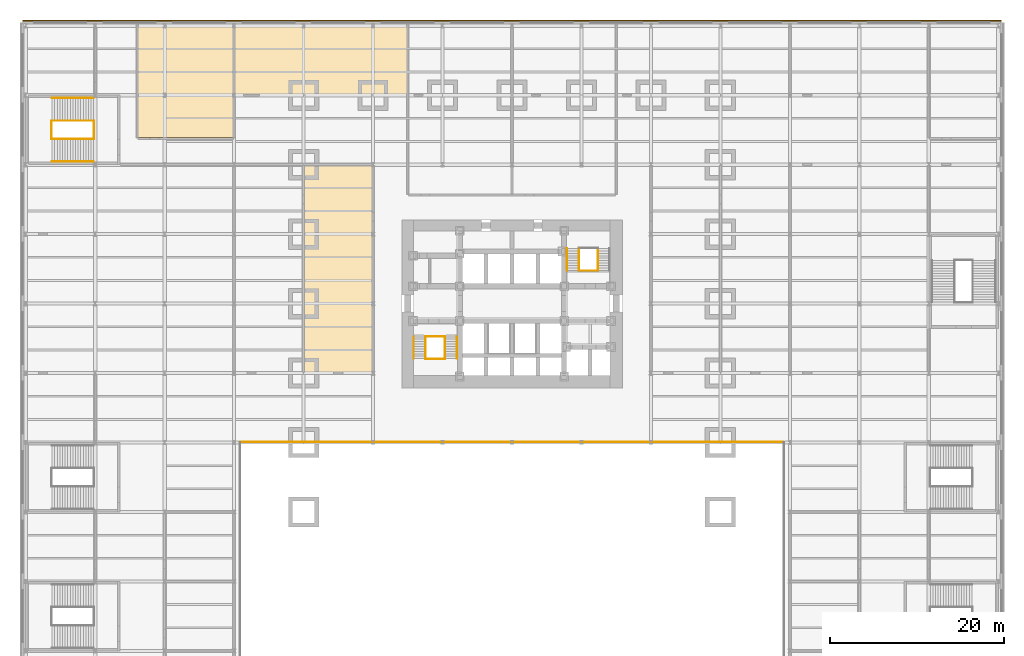
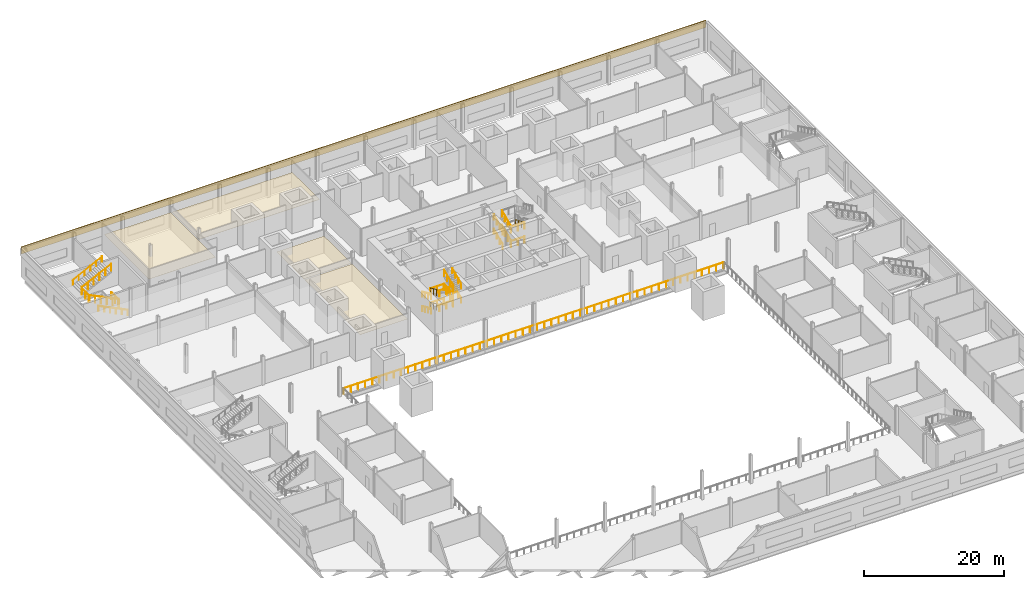
# One storey, part 17 of 18: 27 railings, 5 coverings.
"""IFC4 building model written with IfcOpenShell, lengths in metres."""

import ifcopenshell
import ifcopenshell.guid

model = None  # the IFC model being written
_history = None  # IfcOwnerHistory: only IFC2X3 demands one
_inside = {}  # id of a spatial element -> (the spatial element, [elements in it])
_under = {}  # id of a project, library or spatial element -> (it, [spatial elements below it])
_declared = {}  # id of a project -> (the project, [libraries it declares])
_typed = {}  # id of a type object -> (the type object, [elements of that type])
_made_of = {}  # id of a material, layer set ... -> (it, [elements and type objects made of it])


def new_model(schema):
    """Start an empty IFC model of exactly this schema.

    Asked for "IFC4X3", IfcOpenShell would pick the latest addendum, in which some entities
    have other attributes; the version numbers below select the first issue.
    IFC2X3 requires an IfcOwnerHistory on every rooted entity: one is made here for all.
    """
    global model, _history
    if schema == "IFC4X3":
        model = ifcopenshell.file(schema_version=(4, 3, 0, 0))
    else:
        model = ifcopenshell.file(schema=schema)
    _inside.clear()
    _under.clear()
    _declared.clear()
    _typed.clear()
    _made_of.clear()
    _history = None
    if model.schema == "IFC2X3":
        org = make("IfcOrganization", Name="unknown")
        user = make(
            "IfcPersonAndOrganization",
            ThePerson=make("IfcPerson", FamilyName="unknown"),
            TheOrganization=org,
        )
        app = make(
            "IfcApplication",
            ApplicationDeveloper=org,
            Version="unknown",
            ApplicationFullName="unknown",
            ApplicationIdentifier="unknown",
        )
        _history = make(
            "IfcOwnerHistory",
            OwningUser=user,
            OwningApplication=app,
            ChangeAction="ADDED",
            CreationDate=0,
        )
    return model


def make(cls, **values):
    """One entity of the class cls with the attributes given. An attribute that is None is left unset."""
    return model.create_entity(
        cls, **{name: value for name, value in values.items() if value is not None}
    )


def rooted(cls, **values):
    """An entity with a GlobalId (a new one), such as an element, a storey or a relation."""
    return make(cls, GlobalId=ifcopenshell.guid.new(), OwnerHistory=_history, **values)


def si_unit(unit_type, name, prefix=None):
    """IfcSIUnit, for example si_unit("LENGTHUNIT", "METRE", prefix="MILLI")."""
    return make("IfcSIUnit", UnitType=unit_type, Prefix=prefix, Name=name)


def assignment(units):
    """IfcUnitAssignment: the units of a project."""
    return None if units is None else make("IfcUnitAssignment", Units=units)


def point(xyz):
    """IfcCartesianPoint."""
    return None if xyz is None else make("IfcCartesianPoint", Coordinates=xyz)


def direction(xyz):
    """IfcDirection."""
    return None if xyz is None else make("IfcDirection", DirectionRatios=xyz)


def frame(location, z_axis=None, x_axis=None):
    """IfcAxis2Placement3D, a coordinate frame: its origin and axes. An axis left out is left unset."""
    return make(
        "IfcAxis2Placement3D",
        Location=point(location),
        Axis=direction(z_axis),
        RefDirection=direction(x_axis),
    )


def frame_2d(location, x_axis=None):
    """IfcAxis2Placement2D, a coordinate frame in the plane: its origin and x axis."""
    return make(
        "IfcAxis2Placement2D", Location=point(location), RefDirection=direction(x_axis)
    )


def origin():
    """The frame at (0, 0, 0) with its axes left unset."""
    return frame((0.0, 0.0, 0.0))


def origin_2d():
    """The frame at (0, 0) in the plane with its x axis left unset."""
    return frame_2d((0.0, 0.0))


def place(relative_to, where):
    """IfcLocalPlacement: puts the frame where relative to a parent placement (None: the world)."""
    return make(
        "IfcLocalPlacement", PlacementRelTo=relative_to, RelativePlacement=where
    )


def context(
    kind, dimensions, precision=None, world=None, true_north=None, identifier=None
):
    """IfcGeometricRepresentationContext, for example the 3D "Model" context."""
    return make(
        "IfcGeometricRepresentationContext",
        ContextIdentifier=identifier,
        ContextType=kind,
        CoordinateSpaceDimension=dimensions,
        Precision=precision,
        WorldCoordinateSystem=world,
        TrueNorth=true_north,
    )


def subcontext(parent, identifier, kind, view, scale=None):
    """IfcGeometricRepresentationSubContext, for example "Body" below "Model"."""
    return make(
        "IfcGeometricRepresentationSubContext",
        ContextIdentifier=identifier,
        ContextType=kind,
        ParentContext=parent,
        TargetScale=scale,
        TargetView=view,
    )


def project(units=None, contexts=None):
    """IfcProject with its units and contexts."""
    return rooted(
        "IfcProject",
        Name="project",
        RepresentationContexts=contexts,
        UnitsInContext=assignment(units),
    )


def spatial(cls, under=None, at=None, **own):
    """A site, building, storey or space (cls), placed at a placement, below another one or the project."""
    s = rooted(cls, ObjectPlacement=at, **own)
    if under is not None:
        _under.setdefault(under.id(), (under, []))[1].append(s)
    return s


def polyline(points):
    """IfcPolyline through the points."""
    return make("IfcPolyline", Points=[point(p) for p in points])


def profile(cls, at=None, kind="AREA", **sizes):
    """A parametric profile (cls). Its sizes go by their IFC names, for example OverallWidth=200.0."""
    return make(cls, ProfileType=kind, Position=at, **sizes)


def rectangle(**sizes):
    """IfcRectangleProfileDef."""
    return profile("IfcRectangleProfileDef", **sizes)


def circle(**sizes):
    """IfcCircleProfileDef."""
    return profile("IfcCircleProfileDef", **sizes)


def outline(outer, holes=None, kind="AREA"):
    """IfcArbitraryClosedProfileDef: a profile drawn as a closed curve; with holes, ...WithVoids."""
    if holes is None:
        return make("IfcArbitraryClosedProfileDef", ProfileType=kind, OuterCurve=outer)
    return make(
        "IfcArbitraryProfileDefWithVoids",
        ProfileType=kind,
        OuterCurve=outer,
        InnerCurves=holes,
    )


def extrude(swept, where, along, depth):
    """IfcExtrudedAreaSolid: the profile swept, set in the frame where, extruded along a direction by depth."""
    return make(
        "IfcExtrudedAreaSolid",
        SweptArea=swept,
        Position=where,
        ExtrudedDirection=direction(along),
        Depth=depth,
    )


def shape(context_of_items, identifier, shape_type, items):
    """IfcShapeRepresentation: the items that make up one representation, for example the "Body"."""
    return make(
        "IfcShapeRepresentation",
        ContextOfItems=context_of_items,
        RepresentationIdentifier=identifier,
        RepresentationType=shape_type,
        Items=items,
    )


def material(Name=None, Category=None):
    """IfcMaterial."""
    return make("IfcMaterial", Name=Name, Category=Category)


def layer(
    of_material, thickness, ventilated=None, Name=None, Category=None, Priority=None
):
    """IfcMaterialLayer: one layer of a wall or slab, of a material (None: an air gap)."""
    return make(
        "IfcMaterialLayer",
        Material=of_material,
        LayerThickness=thickness,
        IsVentilated=ventilated,
        Name=Name,
        Category=Category,
        Priority=Priority,
    )


def layer_set(layers, Name=None):
    """IfcMaterialLayerSet."""
    return make("IfcMaterialLayerSet", MaterialLayers=layers, LayerSetName=Name)


def made_of(thing, what):
    """Note that an element or type object is made of a material, layer set ...; save() writes the relation."""
    if what is not None:
        _made_of.setdefault(what.id(), (what, []))[1].append(thing)
    return thing


def type_object(cls, material=None, **own):
    """A type object (cls), such as IfcWallType, which elements share."""
    return made_of(rooted(cls, **own), material)


def element(
    cls,
    number,
    at=None,
    inside=None,
    cuts=None,
    type_object=None,
    material=None,
    context=None,
    identifier="Body",
    shape_type=None,
    held_by="IfcProductDefinitionShape",
    body=None,
    shapes=None,
    **own,
):
    """One element of the class cls, such as IfcWall. Its Tag is "e" and its number.

    at: its placement. inside: the storey or other place that contains it. cuts: it is an
    opening in that element (IfcRelVoidsElement). A single representation is given by context,
    identifier, shape_type and body (its items); several are given by shapes. held_by: the class
    of the entity that holds the representations. save() writes the other relations.
    """
    e = rooted(cls, Tag="e%d" % number, ObjectPlacement=at, **own)
    if body is not None:
        shapes = [shape(context, identifier, shape_type, body)]
    if shapes is not None:
        e.Representation = make(held_by, Representations=shapes)
    if inside is not None:
        _inside.setdefault(inside.id(), (inside, []))[1].append(e)
    if cuts is not None:
        rooted(
            "IfcRelVoidsElement", RelatingBuildingElement=cuts, RelatedOpeningElement=e
        )
    if type_object is not None:
        _typed.setdefault(type_object.id(), (type_object, []))[1].append(e)
    return made_of(e, material)


def aggregate(whole, parts):
    """IfcRelAggregates: a whole, such as a stair, and the parts it consists of."""
    return rooted("IfcRelAggregates", RelatingObject=whole, RelatedObjects=parts)


def save(model, path):
    """Write the relations noted so far, then the file.

    IfcRelAggregates (storeys below a building ...), IfcRelContainedInSpatialStructure (elements
    in a storey), IfcRelDefinesByType, IfcRelAssociatesMaterial and IfcRelDeclares: one each for
    every whole, place, type object, material and project.
    """
    for whole, parts in _under.values():
        aggregate(whole, parts)
    for where, things in _inside.values():
        rooted(
            "IfcRelContainedInSpatialStructure",
            RelatedElements=things,
            RelatingStructure=where,
        )
    for kind, things in _typed.values():
        rooted("IfcRelDefinesByType", RelatedObjects=things, RelatingType=kind)
    for what, things in _made_of.values():
        rooted("IfcRelAssociatesMaterial", RelatedObjects=things, RelatingMaterial=what)
    for by, libraries in _declared.values():
        rooted("IfcRelDeclares", RelatingContext=by, RelatedDefinitions=libraries)
    model.write(path)


model = new_model("IFC4")

# Units and contexts
model_context = context("Model", 3, precision=1e-05, world=origin(), true_north=direction((0.0, 1.0)))
body_context = subcontext(model_context, "Body", "Model", "MODEL_VIEW")
ifc_project = project(units=[si_unit("LENGTHUNIT", "METRE"), si_unit("AREAUNIT", "SQUARE_METRE"), si_unit("VOLUMEUNIT", "CUBIC_METRE"), si_unit("PLANEANGLEUNIT", "RADIAN"), si_unit("MASSUNIT", "GRAM", prefix="KILO")], contexts=[model_context])

# Site, building, storey
site_placement = place(None, origin())
site = spatial("IfcSite", under=ifc_project, at=site_placement, CompositionType="ELEMENT")
building_placement = place(site_placement, origin())
building = spatial("IfcBuilding", under=site, at=building_placement, Name="Daluyong Arena Tower", CompositionType="ELEMENT")
storey_placement = place(building_placement, frame((0.0, 0.0, 4.89990234375)))
storey = spatial("IfcBuildingStorey", under=building, at=storey_placement, Name="L01", CompositionType="ELEMENT", Elevation=4.89990234375)

# Railing
ifc_material_1 = material(Name="Steel guard with glass infill", Category="steel")
railing_type_1 = type_object("IfcRailingType", Name="Floor edge guard 1100", PredefinedType="GUARDRAIL", material=ifc_material_1)
railing_1_placement = place(storey_placement, frame((87.25, 64.050048828125, 0.0)))
element("IfcRailing", 1, at=railing_1_placement, inside=storey, type_object=railing_type_1, Name="floor edge guard L01", PredefinedType="GUARDRAIL", context=body_context, shape_type="SweptSolid", body=[
    extrude(circle(Radius=0.02392578125, at=origin_2d()), frame((0.0, 0.0, 1.076171875), z_axis=(-1.0, 0.0, 0.0), x_axis=(0.0, -1.0, 0.0)), (0.0, 0.0, 1.0), 62.5),
    extrude(circle(Radius=0.02099609375, at=origin_2d()), origin(), (0.0, 0.0, 1.0), 1.052001953125),
    extrude(circle(Radius=0.02099609375, at=origin_2d()), frame((-1.17919921875, 0.0, 0.0)), (0.0, 0.0, 1.0), 1.052001953125),
    extrude(circle(Radius=0.02099609375, at=origin_2d()), frame((-2.3583984375, 0.0, 0.0)), (0.0, 0.0, 1.0), 1.052001953125),
    extrude(circle(Radius=0.02099609375, at=origin_2d()), frame((-3.537841796875, 0.0, 0.0)), (0.0, 0.0, 1.0), 1.052001953125),
    extrude(circle(Radius=0.02099609375, at=origin_2d()), frame((-4.717041015625, 0.0, 0.0)), (0.0, 0.0, 1.0), 1.052001953125),
    extrude(circle(Radius=0.02099609375, at=origin_2d()), frame((-5.896240234375, 0.0, 0.0)), (0.0, 0.0, 1.0), 1.052001953125),
    extrude(circle(Radius=0.02099609375, at=origin_2d()), frame((-7.075439453125, 0.0, 0.0)), (0.0, 0.0, 1.0), 1.052001953125),
    extrude(circle(Radius=0.02099609375, at=origin_2d()), frame((-8.254638671875, 0.0, 0.0)), (0.0, 0.0, 1.0), 1.052001953125),
    extrude(circle(Radius=0.02099609375, at=origin_2d()), frame((-9.43408203125, 0.0, 0.0)), (0.0, 0.0, 1.0), 1.052001953125),
    extrude(circle(Radius=0.02099609375, at=origin_2d()), frame((-10.61328125, 0.0, 0.0)), (0.0, 0.0, 1.0), 1.052001953125),
    extrude(circle(Radius=0.02099609375, at=origin_2d()), frame((-11.79248046875, 0.0, 0.0)), (0.0, 0.0, 1.0), 1.052001953125),
    extrude(circle(Radius=0.02099609375, at=origin_2d()), frame((-12.9716796875, 0.0, 0.0)), (0.0, 0.0, 1.0), 1.052001953125),
    extrude(circle(Radius=0.02099609375, at=origin_2d()), frame((-14.15087890625, 0.0, 0.0)), (0.0, 0.0, 1.0), 1.052001953125),
    extrude(circle(Radius=0.02099609375, at=origin_2d()), frame((-15.330078125, 0.0, 0.0)), (0.0, 0.0, 1.0), 1.052001953125),
    extrude(circle(Radius=0.02099609375, at=origin_2d()), frame((-16.509521484375, 0.0, 0.0)), (0.0, 0.0, 1.0), 1.052001953125),
    extrude(circle(Radius=0.02099609375, at=origin_2d()), frame((-17.688720703125, 0.0, 0.0)), (0.0, 0.0, 1.0), 1.052001953125),
    extrude(circle(Radius=0.02099609375, at=origin_2d()), frame((-18.867919921875, 0.0, 0.0)), (0.0, 0.0, 1.0), 1.052001953125),
    extrude(circle(Radius=0.02099609375, at=origin_2d()), frame((-20.047119140625, 0.0, 0.0)), (0.0, 0.0, 1.0), 1.052001953125),
    extrude(circle(Radius=0.02099609375, at=origin_2d()), frame((-21.226318359375, 0.0, 0.0)), (0.0, 0.0, 1.0), 1.052001953125),
    extrude(circle(Radius=0.02099609375, at=origin_2d()), frame((-22.40576171875, 0.0, 0.0)), (0.0, 0.0, 1.0), 1.052001953125),
    extrude(circle(Radius=0.02099609375, at=origin_2d()), frame((-23.5849609375, 0.0, 0.0)), (0.0, 0.0, 1.0), 1.052001953125),
    extrude(circle(Radius=0.02099609375, at=origin_2d()), frame((-24.76416015625, 0.0, 0.0)), (0.0, 0.0, 1.0), 1.052001953125),
    extrude(circle(Radius=0.02099609375, at=origin_2d()), frame((-25.943359375, 0.0, 0.0)), (0.0, 0.0, 1.0), 1.052001953125),
    extrude(circle(Radius=0.02099609375, at=origin_2d()), frame((-27.12255859375, 0.0, 0.0)), (0.0, 0.0, 1.0), 1.052001953125),
    extrude(circle(Radius=0.02099609375, at=origin_2d()), frame((-28.302001953125, 0.0, 0.0)), (0.0, 0.0, 1.0), 1.052001953125),
    extrude(circle(Radius=0.02099609375, at=origin_2d()), frame((-29.481201171875, 0.0, 0.0)), (0.0, 0.0, 1.0), 1.052001953125),
    extrude(circle(Radius=0.02099609375, at=origin_2d()), frame((-30.660400390625, 0.0, 0.0)), (0.0, 0.0, 1.0), 1.052001953125),
    extrude(circle(Radius=0.02099609375, at=origin_2d()), frame((-31.839599609375, 0.0, 0.0)), (0.0, 0.0, 1.0), 1.052001953125),
    extrude(circle(Radius=0.02099609375, at=origin_2d()), frame((-33.018798828125, 0.0, 0.0)), (0.0, 0.0, 1.0), 1.052001953125),
    extrude(circle(Radius=0.02099609375, at=origin_2d()), frame((-34.197998046875, 0.0, 0.0)), (0.0, 0.0, 1.0), 1.052001953125),
    extrude(circle(Radius=0.02099609375, at=origin_2d()), frame((-35.37744140625, 0.0, 0.0)), (0.0, 0.0, 1.0), 1.052001953125),
    extrude(circle(Radius=0.02099609375, at=origin_2d()), frame((-36.556640625, 0.0, 0.0)), (0.0, 0.0, 1.0), 1.052001953125),
    extrude(circle(Radius=0.02099609375, at=origin_2d()), frame((-37.73583984375, 0.0, 0.0)), (0.0, 0.0, 1.0), 1.052001953125),
    extrude(circle(Radius=0.02099609375, at=origin_2d()), frame((-38.9150390625, 0.0, 0.0)), (0.0, 0.0, 1.0), 1.052001953125),
    extrude(circle(Radius=0.02099609375, at=origin_2d()), frame((-40.09423828125, 0.0, 0.0)), (0.0, 0.0, 1.0), 1.052001953125),
    extrude(circle(Radius=0.02099609375, at=origin_2d()), frame((-41.273681640625, 0.0, 0.0)), (0.0, 0.0, 1.0), 1.052001953125),
    extrude(circle(Radius=0.02099609375, at=origin_2d()), frame((-42.452880859375, 0.0, 0.0)), (0.0, 0.0, 1.0), 1.052001953125),
    extrude(circle(Radius=0.02099609375, at=origin_2d()), frame((-43.632080078125, 0.0, 0.0)), (0.0, 0.0, 1.0), 1.052001953125),
    extrude(circle(Radius=0.02099609375, at=origin_2d()), frame((-44.811279296875, 0.0, 0.0)), (0.0, 0.0, 1.0), 1.052001953125),
    extrude(circle(Radius=0.02099609375, at=origin_2d()), frame((-45.990478515625, 0.0, 0.0)), (0.0, 0.0, 1.0), 1.052001953125),
    extrude(circle(Radius=0.02099609375, at=origin_2d()), frame((-47.169921875, 0.0, 0.0)), (0.0, 0.0, 1.0), 1.052001953125),
    extrude(circle(Radius=0.02099609375, at=origin_2d()), frame((-48.34912109375, 0.0, 0.0)), (0.0, 0.0, 1.0), 1.052001953125),
    extrude(circle(Radius=0.02099609375, at=origin_2d()), frame((-49.5283203125, 0.0, 0.0)), (0.0, 0.0, 1.0), 1.052001953125),
    extrude(circle(Radius=0.02099609375, at=origin_2d()), frame((-50.70751953125, 0.0, 0.0)), (0.0, 0.0, 1.0), 1.052001953125),
    extrude(circle(Radius=0.02099609375, at=origin_2d()), frame((-51.88671875, 0.0, 0.0)), (0.0, 0.0, 1.0), 1.052001953125),
    extrude(circle(Radius=0.02099609375, at=origin_2d()), frame((-53.06591796875, 0.0, 0.0)), (0.0, 0.0, 1.0), 1.052001953125),
    extrude(circle(Radius=0.02099609375, at=origin_2d()), frame((-54.245361328125, 0.0, 0.0)), (0.0, 0.0, 1.0), 1.052001953125),
    extrude(circle(Radius=0.02099609375, at=origin_2d()), frame((-55.424560546875, 0.0, 0.0)), (0.0, 0.0, 1.0), 1.052001953125),
    extrude(circle(Radius=0.02099609375, at=origin_2d()), frame((-56.603759765625, 0.0, 0.0)), (0.0, 0.0, 1.0), 1.052001953125),
    extrude(circle(Radius=0.02099609375, at=origin_2d()), frame((-57.782958984375, 0.0, 0.0)), (0.0, 0.0, 1.0), 1.052001953125),
    extrude(circle(Radius=0.02099609375, at=origin_2d()), frame((-58.962158203125, 0.0, 0.0)), (0.0, 0.0, 1.0), 1.052001953125),
    extrude(circle(Radius=0.02099609375, at=origin_2d()), frame((-60.1416015625, 0.0, 0.0)), (0.0, 0.0, 1.0), 1.052001953125),
    extrude(circle(Radius=0.02099609375, at=origin_2d()), frame((-61.32080078125, 0.0, 0.0)), (0.0, 0.0, 1.0), 1.052001953125),
    extrude(circle(Radius=0.02099609375, at=origin_2d()), frame((-62.5, 0.0, 0.0)), (0.0, 0.0, 1.0), 1.052001953125),
])

# Coverings
ifc_material_2 = material(Name="Mineral fibre ceiling tile", Category="gypsum board")
ifc_layer_1 = layer(ifc_material_2, 0.02001953125)
ifc_layer_set_1 = layer_set([ifc_layer_1], Name="Mineral fibre ceiling tile")
covering_type_1 = type_object("IfcCoveringType", Name="Office ceiling", PredefinedType="CEILING", material=ifc_layer_set_1)
covering_1_placement = place(storey_placement, frame((0.0, 0.0, 2.900146484375)))
element("IfcCovering", 2, at=covering_1_placement, inside=storey, type_object=covering_type_1, Name="ceiling L01-36", PredefinedType="CEILING", context=body_context, shape_type="SweptSolid", body=[
    extrude(outline(polyline([(39.89990234375, 72.10009765625), (39.89990234375, 87.89990234375), (32.10009765625, 87.89990234375), (32.10009765625, 72.10009765625), (39.89990234375, 72.10009765625)])), origin(), (0.0, 0.0, 1.0), 0.02001953125),
])
covering_2_placement = place(storey_placement, frame((0.0, 0.0, 2.900146484375)))
element("IfcCovering", 3, at=covering_2_placement, inside=storey, type_object=covering_type_1, Name="ceiling L01-37", PredefinedType="CEILING", context=body_context, shape_type="SweptSolid", body=[
    extrude(outline(polyline([(39.89990234375, 88.10009765625), (39.89990234375, 95.89990234375), (32.10009765625, 95.89990234375), (32.10009765625, 88.10009765625), (39.89990234375, 88.10009765625)])), origin(), (0.0, 0.0, 1.0), 0.02001953125),
])
covering_3_placement = place(storey_placement, frame((0.0, 0.0, 2.900146484375)))
element("IfcCovering", 4, at=covering_3_placement, inside=storey, type_object=covering_type_1, Name="ceiling L01-39", PredefinedType="CEILING", context=body_context, shape_type="SweptSolid", body=[
    extrude(outline(polyline([(23.89990234375, 99.10009765625), (23.89990234375, 111.89990234375), (12.949951171875, 111.89990234375), (12.949951171875, 99.10009765625), (23.89990234375, 99.10009765625)])), origin(), (0.0, 0.0, 1.0), 0.02001953125),
])
covering_4_placement = place(storey_placement, frame((0.0, 0.0, 2.900146484375)))
element("IfcCovering", 5, at=covering_4_placement, inside=storey, type_object=covering_type_1, Name="ceiling L01-41", PredefinedType="CEILING", context=body_context, shape_type="SweptSolid", body=[
    extrude(outline(polyline([(43.89990234375, 104.10009765625), (43.89990234375, 111.89990234375), (24.10009765625, 111.89990234375), (24.10009765625, 104.10009765625), (43.89990234375, 104.10009765625)])), origin(), (0.0, 0.0, 1.0), 0.02001953125),
])
ifc_material_3 = material(Name="Red-pigmented glass fibre reinforced concrete", Category="concrete")
ifc_layer_2 = layer(ifc_material_3, 0.14990234375)
ifc_layer_set_2 = layer_set([ifc_layer_2], Name="Red-pigmented glass fibre reinforced concrete")
covering_type_2 = type_object("IfcCoveringType", Name="Podium band cladding", PredefinedType="CLADDING", material=ifc_layer_set_2)
covering_5_placement = place(storey_placement, frame((56.0, 112.574951171875, 3.80029296875), z_axis=(0.0, 0.0, 1.0), x_axis=(-1.0, 0.0, 0.0)))
element("IfcCovering", 6, at=covering_5_placement, inside=storey, type_object=covering_type_2, Name="podium band N L01", PredefinedType="CLADDING", context=body_context, shape_type="SweptSolid", body=[
    extrude(rectangle(XDim=112.699951171875, YDim=0.14990234375, at=origin_2d()), origin(), (0.0, 0.0, 1.0), 1.199951171875),
])

# Railings
ifc_material_4 = material(Name="Stainless steel handrail", Category="steel")
railing_type_2 = type_object("IfcRailingType", Name="Stair handrail", PredefinedType="HANDRAIL", material=ifc_material_4)
railing_2_placement = place(storey_placement, frame((44.68994140625, 76.175048828125, 0.125)))
element("IfcRailing", 7, at=railing_2_placement, inside=storey, type_object=railing_type_2, Name="exit stair A handrail L01", PredefinedType="HANDRAIL", context=body_context, shape_type="SweptSolid", body=[
    extrude(circle(Radius=0.02392578125, at=origin_2d()), frame((0.0, 0.0, 0.8759765625), z_axis=(0.0, -0.913139058521, 0.407648205936), x_axis=(1.0, 0.0, 0.0)), (0.0, 0.0, 1.0), 2.759765625),
    extrude(circle(Radius=0.02099609375, at=origin_2d()), origin(), (0.0, 0.0, 1.0), 0.851806640625),
    extrude(circle(Radius=0.02099609375, at=origin_2d()), frame((0.0, -0.840087890625, 0.375)), (0.0, 0.0, 1.0), 0.851806640625),
    extrude(circle(Radius=0.02099609375, at=origin_2d()), frame((0.0, -1.679931640625, 0.75)), (0.0, 0.0, 1.0), 0.851806640625),
    extrude(circle(Radius=0.02099609375, at=origin_2d()), frame((0.0, -2.52001953125, 1.125)), (0.0, 0.0, 1.0), 0.851806640625),
])
railing_3_placement = place(storey_placement, frame((49.64990234375, 73.655029296875, 1.375)))
element("IfcRailing", 8, at=railing_3_placement, inside=storey, type_object=railing_type_2, Name="exit stair A handrail L01", PredefinedType="HANDRAIL", context=body_context, shape_type="SweptSolid", body=[
    extrude(circle(Radius=0.02392578125, at=origin_2d()), frame((0.0, 0.0, 0.8759765625), z_axis=(0.0, 0.913139058521, 0.407648205936), x_axis=(-1.0, 0.0, 0.0)), (0.0, 0.0, 1.0), 2.759765625),
    extrude(circle(Radius=0.02099609375, at=origin_2d()), origin(), (0.0, 0.0, 1.0), 0.851806640625),
    extrude(circle(Radius=0.02099609375, at=origin_2d()), frame((0.0, 0.840087890625, 0.375)), (0.0, 0.0, 1.0), 0.851806640625),
    extrude(circle(Radius=0.02099609375, at=origin_2d()), frame((0.0, 1.679931640625, 0.75)), (0.0, 0.0, 1.0), 0.851806640625),
    extrude(circle(Radius=0.02099609375, at=origin_2d()), frame((0.0, 2.52001953125, 1.125)), (0.0, 0.0, 1.0), 0.851806640625),
])
railing_4_placement = place(storey_placement, frame((44.68994140625, 76.175048828125, 2.625)))
element("IfcRailing", 9, at=railing_4_placement, inside=storey, type_object=railing_type_2, Name="exit stair A handrail L01", PredefinedType="HANDRAIL", context=body_context, shape_type="SweptSolid", body=[
    extrude(circle(Radius=0.02392578125, at=origin_2d()), frame((0.0, 0.0, 0.8759765625), z_axis=(0.0, -0.913139058521, 0.407648205936), x_axis=(1.0, 0.0, 0.0)), (0.0, 0.0, 1.0), 2.759765625),
    extrude(circle(Radius=0.02099609375, at=origin_2d()), origin(), (0.0, 0.0, 1.0), 0.851806640625),
    extrude(circle(Radius=0.02099609375, at=origin_2d()), frame((0.0, -0.840087890625, 0.375)), (0.0, 0.0, 1.0), 0.851806640625),
    extrude(circle(Radius=0.02099609375, at=origin_2d()), frame((0.0, -1.679931640625, 0.75)), (0.0, 0.0, 1.0), 0.851806640625),
    extrude(circle(Radius=0.02099609375, at=origin_2d()), frame((0.0, -2.52001953125, 1.125)), (0.0, 0.0, 1.0), 0.851806640625),
])
for number, where, name in (
    (10, (49.64990234375, 73.655029296875, 3.875), "exit stair A handrail L01"),
    (11, (62.35009765625, 83.824951171875, 0.125), "exit stair B handrail L01"),
    (12, (62.35009765625, 83.824951171875, 2.625), "exit stair B handrail L01"),
):
    element("IfcRailing", number, at=place(storey_placement, frame(where)), inside=storey, type_object=railing_type_2, Name=name, PredefinedType="HANDRAIL", context=body_context, shape_type="SweptSolid", body=[
        extrude(circle(Radius=0.02392578125, at=origin_2d()), frame((0.0, 0.0, 0.8759765625), z_axis=(0.0, 0.913139058521, 0.407648205936), x_axis=(-1.0, 0.0, 0.0)), (0.0, 0.0, 1.0), 2.759765625),
        extrude(circle(Radius=0.02099609375, at=origin_2d()), origin(), (0.0, 0.0, 1.0), 0.851806640625),
        extrude(circle(Radius=0.02099609375, at=origin_2d()), frame((0.0, 0.840087890625, 0.375)), (0.0, 0.0, 1.0), 0.851806640625),
        extrude(circle(Radius=0.02099609375, at=origin_2d()), frame((0.0, 1.679931640625, 0.75)), (0.0, 0.0, 1.0), 0.851806640625),
        extrude(circle(Radius=0.02099609375, at=origin_2d()), frame((0.0, 2.52001953125, 1.125)), (0.0, 0.0, 1.0), 0.851806640625),
    ])
railing_5_placement = place(storey_placement, frame((7.840087890625, 96.35009765625, 0.147216796875)))
element("IfcRailing", 13, at=railing_5_placement, inside=storey, type_object=railing_type_2, Name="exit stair PS5 handrail L01", PredefinedType="HANDRAIL", context=body_context, shape_type="SweptSolid", body=[
    extrude(circle(Radius=0.02392578125, at=origin_2d()), frame((0.0, 0.0, 0.8759765625), z_axis=(-0.89793417156, 0.0, 0.440129780343), x_axis=(0.0, -1.0, 0.0)), (0.0, 0.0, 1.0), 5.345703125),
    extrude(circle(Radius=0.02099609375, at=origin_2d()), origin(), (0.0, 0.0, 1.0), 0.851806640625),
    extrude(circle(Radius=0.02099609375, at=origin_2d()), frame((-0.9599609375, 0.0, 0.470458984375)), (0.0, 0.0, 1.0), 0.851806640625),
    extrude(circle(Radius=0.02099609375, at=origin_2d()), frame((-1.919921875, 0.0, 0.941162109375)), (0.0, 0.0, 1.0), 0.851806640625),
    extrude(circle(Radius=0.02099609375, at=origin_2d()), frame((-2.880126953125, 0.0, 1.41162109375)), (0.0, 0.0, 1.0), 0.851806640625),
    extrude(circle(Radius=0.02099609375, at=origin_2d()), frame((-3.840087890625, 0.0, 1.88232421875)), (0.0, 0.0, 1.0), 0.851806640625),
    extrude(circle(Radius=0.02099609375, at=origin_2d()), frame((-4.800048828125, 0.0, 2.352783203125)), (0.0, 0.0, 1.0), 0.851806640625),
])
railing_6_placement = place(storey_placement, frame((3.0400390625, 103.64990234375, 2.647216796875)))
element("IfcRailing", 14, at=railing_6_placement, inside=storey, type_object=railing_type_2, Name="exit stair PS5 handrail L01", PredefinedType="HANDRAIL", context=body_context, shape_type="SweptSolid", body=[
    extrude(circle(Radius=0.02392578125, at=origin_2d()), frame((0.0, 0.0, 0.8759765625), z_axis=(0.89793417156, 0.0, 0.440129780343), x_axis=(0.0, 1.0, 0.0)), (0.0, 0.0, 1.0), 5.345703125),
    extrude(circle(Radius=0.02099609375, at=origin_2d()), origin(), (0.0, 0.0, 1.0), 0.851806640625),
    extrude(circle(Radius=0.02099609375, at=origin_2d()), frame((0.9599609375, 0.0, 0.470458984375)), (0.0, 0.0, 1.0), 0.851806640625),
    extrude(circle(Radius=0.02099609375, at=origin_2d()), frame((1.919921875, 0.0, 0.941162109375)), (0.0, 0.0, 1.0), 0.851806640625),
    extrude(circle(Radius=0.02099609375, at=origin_2d()), frame((2.880126953125, 0.0, 1.41162109375)), (0.0, 0.0, 1.0), 0.851806640625),
    extrude(circle(Radius=0.02099609375, at=origin_2d()), frame((3.840087890625, 0.0, 1.88232421875)), (0.0, 0.0, 1.0), 0.851806640625),
    extrude(circle(Radius=0.02099609375, at=origin_2d()), frame((4.800048828125, 0.0, 2.352783203125)), (0.0, 0.0, 1.0), 0.851806640625),
])
ifc_material_5 = material(Name="Steel balustrade", Category="steel")
railing_type_3 = type_object("IfcRailingType", Name="Stair well guard 1100", PredefinedType="GUARDRAIL", material=ifc_material_5)
railing_7_placement = place(storey_placement, frame((46.0400390625, 76.175048828125, 0.125)))
element("IfcRailing", 15, at=railing_7_placement, inside=storey, type_object=railing_type_3, Name="exit stair A well guard L01", PredefinedType="GUARDRAIL", context=body_context, shape_type="SweptSolid", body=[
    extrude(circle(Radius=0.02392578125, at=origin_2d()), frame((0.0, 0.0, 1.076171875), z_axis=(0.0, -0.913139058521, 0.407648205936), x_axis=(1.0, 0.0, 0.0)), (0.0, 0.0, 1.0), 2.759765625),
    extrude(circle(Radius=0.02099609375, at=origin_2d()), origin(), (0.0, 0.0, 1.0), 1.052001953125),
    extrude(circle(Radius=0.02099609375, at=origin_2d()), frame((0.0, -0.840087890625, 0.375)), (0.0, 0.0, 1.0), 1.052001953125),
    extrude(circle(Radius=0.02099609375, at=origin_2d()), frame((0.0, -1.679931640625, 0.75)), (0.0, 0.0, 1.0), 1.052001953125),
    extrude(circle(Radius=0.02099609375, at=origin_2d()), frame((0.0, -2.52001953125, 1.125)), (0.0, 0.0, 1.0), 1.052001953125),
])
railing_8_placement = place(storey_placement, frame((48.300048828125, 73.655029296875, 1.375)))
element("IfcRailing", 16, at=railing_8_placement, inside=storey, type_object=railing_type_3, Name="exit stair A well guard L01", PredefinedType="GUARDRAIL", context=body_context, shape_type="SweptSolid", body=[
    extrude(circle(Radius=0.02392578125, at=origin_2d()), frame((0.0, 0.0, 1.076171875), z_axis=(0.0, 0.913139058521, 0.407648205936), x_axis=(-1.0, 0.0, 0.0)), (0.0, 0.0, 1.0), 2.759765625),
    extrude(circle(Radius=0.02099609375, at=origin_2d()), origin(), (0.0, 0.0, 1.0), 1.052001953125),
    extrude(circle(Radius=0.02099609375, at=origin_2d()), frame((0.0, 0.840087890625, 0.375)), (0.0, 0.0, 1.0), 1.052001953125),
    extrude(circle(Radius=0.02099609375, at=origin_2d()), frame((0.0, 1.679931640625, 0.75)), (0.0, 0.0, 1.0), 1.052001953125),
    extrude(circle(Radius=0.02099609375, at=origin_2d()), frame((0.0, 2.52001953125, 1.125)), (0.0, 0.0, 1.0), 1.052001953125),
])
railing_9_placement = place(storey_placement, frame((46.0400390625, 76.175048828125, 2.625)))
element("IfcRailing", 17, at=railing_9_placement, inside=storey, type_object=railing_type_3, Name="exit stair A well guard L01", PredefinedType="GUARDRAIL", context=body_context, shape_type="SweptSolid", body=[
    extrude(circle(Radius=0.02392578125, at=origin_2d()), frame((0.0, 0.0, 1.076171875), z_axis=(0.0, -0.913139058521, 0.407648205936), x_axis=(1.0, 0.0, 0.0)), (0.0, 0.0, 1.0), 2.759765625),
    extrude(circle(Radius=0.02099609375, at=origin_2d()), origin(), (0.0, 0.0, 1.0), 1.052001953125),
    extrude(circle(Radius=0.02099609375, at=origin_2d()), frame((0.0, -0.840087890625, 0.375)), (0.0, 0.0, 1.0), 1.052001953125),
    extrude(circle(Radius=0.02099609375, at=origin_2d()), frame((0.0, -1.679931640625, 0.75)), (0.0, 0.0, 1.0), 1.052001953125),
    extrude(circle(Radius=0.02099609375, at=origin_2d()), frame((0.0, -2.52001953125, 1.125)), (0.0, 0.0, 1.0), 1.052001953125),
])
railing_10_placement = place(storey_placement, frame((48.300048828125, 73.655029296875, 3.875)))
element("IfcRailing", 18, at=railing_10_placement, inside=storey, type_object=railing_type_3, Name="exit stair A well guard L01", PredefinedType="GUARDRAIL", context=body_context, shape_type="SweptSolid", body=[
    extrude(circle(Radius=0.02392578125, at=origin_2d()), frame((0.0, 0.0, 1.076171875), z_axis=(0.0, 0.913139058521, 0.407648205936), x_axis=(-1.0, 0.0, 0.0)), (0.0, 0.0, 1.0), 2.759765625),
    extrude(circle(Radius=0.02099609375, at=origin_2d()), origin(), (0.0, 0.0, 1.0), 1.052001953125),
    extrude(circle(Radius=0.02099609375, at=origin_2d()), frame((0.0, 0.840087890625, 0.375)), (0.0, 0.0, 1.0), 1.052001953125),
    extrude(circle(Radius=0.02099609375, at=origin_2d()), frame((0.0, 1.679931640625, 0.75)), (0.0, 0.0, 1.0), 1.052001953125),
    extrude(circle(Radius=0.02099609375, at=origin_2d()), frame((0.0, 2.52001953125, 1.125)), (0.0, 0.0, 1.0), 1.052001953125),
])
for number, where, name in (
    (19, (46.0400390625, 73.60498046875, 1.25), "exit stair A landing guard L01"),
    (20, (46.0400390625, 76.22509765625, 2.5), "exit stair A landing guard L01"),
    (21, (46.0400390625, 73.60498046875, 3.75), "exit stair A landing guard L01"),
):
    element("IfcRailing", number, at=place(storey_placement, frame(where)), inside=storey, type_object=railing_type_3, Name=name, PredefinedType="GUARDRAIL", context=body_context, shape_type="SweptSolid", body=[
        extrude(circle(Radius=0.02392578125, at=origin_2d()), frame((0.0, 0.0, 1.076171875), z_axis=(1.0, 0.0, 0.0), x_axis=(0.0, 1.0, 0.0)), (0.0, 0.0, 1.0), 2.260009765625),
        extrude(circle(Radius=0.02099609375, at=origin_2d()), origin(), (0.0, 0.0, 1.0), 1.052001953125),
        extrude(circle(Radius=0.02099609375, at=origin_2d()), frame((1.1298828125, 0.0, 0.0)), (0.0, 0.0, 1.0), 1.052001953125),
        extrude(circle(Radius=0.02099609375, at=origin_2d()), frame((2.260009765625, 0.0, 0.0)), (0.0, 0.0, 1.0), 1.052001953125),
    ])
railing_11_placement = place(storey_placement, frame((48.300048828125, 73.60498046875, 2.5)))
element("IfcRailing", 22, at=railing_11_placement, inside=storey, type_object=railing_type_3, Name="exit stair A landing guard L01", PredefinedType="GUARDRAIL", context=body_context, shape_type="SweptSolid", body=[
    extrude(circle(Radius=0.02392578125, at=origin_2d()), frame((0.0, 0.0, 1.076171875), z_axis=(0.0, 1.0, 0.0), x_axis=(-1.0, 0.0, 0.0)), (0.0, 0.0, 1.0), 2.570068359375),
    extrude(circle(Radius=0.02099609375, at=origin_2d()), origin(), (0.0, 0.0, 1.0), 1.052001953125),
    extrude(circle(Radius=0.02099609375, at=origin_2d()), frame((0.0, 0.856689453125, 0.0)), (0.0, 0.0, 1.0), 1.052001953125),
    extrude(circle(Radius=0.02099609375, at=origin_2d()), frame((0.0, 1.71337890625, 0.0)), (0.0, 0.0, 1.0), 1.052001953125),
    extrude(circle(Radius=0.02099609375, at=origin_2d()), frame((0.0, 2.570068359375, 0.0)), (0.0, 0.0, 1.0), 1.052001953125),
])
railing_12_placement = place(storey_placement, frame((46.0400390625, 76.22509765625, 0.0)))
element("IfcRailing", 23, at=railing_12_placement, inside=storey, type_object=railing_type_3, Name="exit stair A floor landing guard L01", PredefinedType="GUARDRAIL", context=body_context, shape_type="SweptSolid", body=[
    extrude(circle(Radius=0.02392578125, at=origin_2d()), frame((0.0, 0.0, 1.076171875), z_axis=(1.0, 0.0, 0.0), x_axis=(0.0, 1.0, 0.0)), (0.0, 0.0, 1.0), 2.260009765625),
    extrude(circle(Radius=0.02099609375, at=origin_2d()), origin(), (0.0, 0.0, 1.0), 1.052001953125),
    extrude(circle(Radius=0.02099609375, at=origin_2d()), frame((1.1298828125, 0.0, 0.0)), (0.0, 0.0, 1.0), 1.052001953125),
    extrude(circle(Radius=0.02099609375, at=origin_2d()), frame((2.260009765625, 0.0, 0.0)), (0.0, 0.0, 1.0), 1.052001953125),
])
railing_13_placement = place(storey_placement, frame((63.699951171875, 83.824951171875, 0.125)))
element("IfcRailing", 24, at=railing_13_placement, inside=storey, type_object=railing_type_3, Name="exit stair B well guard L01", PredefinedType="GUARDRAIL", context=body_context, shape_type="SweptSolid", body=[
    extrude(circle(Radius=0.02392578125, at=origin_2d()), frame((0.0, 0.0, 1.076171875), z_axis=(0.0, 0.913139058521, 0.407648205936), x_axis=(-1.0, 0.0, 0.0)), (0.0, 0.0, 1.0), 2.759765625),
    extrude(circle(Radius=0.02099609375, at=origin_2d()), origin(), (0.0, 0.0, 1.0), 1.052001953125),
    extrude(circle(Radius=0.02099609375, at=origin_2d()), frame((0.0, 0.840087890625, 0.375)), (0.0, 0.0, 1.0), 1.052001953125),
    extrude(circle(Radius=0.02099609375, at=origin_2d()), frame((0.0, 1.679931640625, 0.75)), (0.0, 0.0, 1.0), 1.052001953125),
    extrude(circle(Radius=0.02099609375, at=origin_2d()), frame((0.0, 2.52001953125, 1.125)), (0.0, 0.0, 1.0), 1.052001953125),
])
railing_14_placement = place(storey_placement, frame((65.89990234375, 86.344970703125, 1.375)))
element("IfcRailing", 25, at=railing_14_placement, inside=storey, type_object=railing_type_3, Name="exit stair B well guard L01", PredefinedType="GUARDRAIL", context=body_context, shape_type="SweptSolid", body=[
    extrude(circle(Radius=0.02392578125, at=origin_2d()), frame((0.0, 0.0, 1.076171875), z_axis=(0.0, -0.913139058521, 0.407648205936), x_axis=(1.0, 0.0, 0.0)), (0.0, 0.0, 1.0), 2.759765625),
    extrude(circle(Radius=0.02099609375, at=origin_2d()), origin(), (0.0, 0.0, 1.0), 1.052001953125),
    extrude(circle(Radius=0.02099609375, at=origin_2d()), frame((0.0, -0.840087890625, 0.375)), (0.0, 0.0, 1.0), 1.052001953125),
    extrude(circle(Radius=0.02099609375, at=origin_2d()), frame((0.0, -1.679931640625, 0.75)), (0.0, 0.0, 1.0), 1.052001953125),
    extrude(circle(Radius=0.02099609375, at=origin_2d()), frame((0.0, -2.52001953125, 1.125)), (0.0, 0.0, 1.0), 1.052001953125),
])
railing_15_placement = place(storey_placement, frame((63.699951171875, 83.824951171875, 2.625)))
element("IfcRailing", 26, at=railing_15_placement, inside=storey, type_object=railing_type_3, Name="exit stair B well guard L01", PredefinedType="GUARDRAIL", context=body_context, shape_type="SweptSolid", body=[
    extrude(circle(Radius=0.02392578125, at=origin_2d()), frame((0.0, 0.0, 1.076171875), z_axis=(0.0, 0.913139058521, 0.407648205936), x_axis=(-1.0, 0.0, 0.0)), (0.0, 0.0, 1.0), 2.759765625),
    extrude(circle(Radius=0.02099609375, at=origin_2d()), origin(), (0.0, 0.0, 1.0), 1.052001953125),
    extrude(circle(Radius=0.02099609375, at=origin_2d()), frame((0.0, 0.840087890625, 0.375)), (0.0, 0.0, 1.0), 1.052001953125),
    extrude(circle(Radius=0.02099609375, at=origin_2d()), frame((0.0, 1.679931640625, 0.75)), (0.0, 0.0, 1.0), 1.052001953125),
    extrude(circle(Radius=0.02099609375, at=origin_2d()), frame((0.0, 2.52001953125, 1.125)), (0.0, 0.0, 1.0), 1.052001953125),
])
for number, where, name in (
    (27, (63.699951171875, 83.77490234375, 2.5), "exit stair B landing guard L01"),
    (28, (63.699951171875, 83.77490234375, 0.0), "exit stair B floor landing guard L01"),
):
    element("IfcRailing", number, at=place(storey_placement, frame(where)), inside=storey, type_object=railing_type_3, Name=name, PredefinedType="GUARDRAIL", context=body_context, shape_type="SweptSolid", body=[
        extrude(circle(Radius=0.02392578125, at=origin_2d()), frame((0.0, 0.0, 1.076171875), z_axis=(1.0, 0.0, 0.0), x_axis=(0.0, 1.0, 0.0)), (0.0, 0.0, 1.0), 2.199951171875),
        extrude(circle(Radius=0.02099609375, at=origin_2d()), origin(), (0.0, 0.0, 1.0), 1.052001953125),
        extrude(circle(Radius=0.02099609375, at=origin_2d()), frame((1.10009765625, 0.0, 0.0)), (0.0, 0.0, 1.0), 1.052001953125),
        extrude(circle(Radius=0.02099609375, at=origin_2d()), frame((2.199951171875, 0.0, 0.0)), (0.0, 0.0, 1.0), 1.052001953125),
    ])
ifc_material_6 = material(Name="Steel balustrade", Category="steel")
railing_type_4 = type_object("IfcRailingType", Name="Stair well guard 1200", PredefinedType="GUARDRAIL", material=ifc_material_6)
railing_16_placement = place(storey_placement, frame((7.840087890625, 98.949951171875, 0.147216796875)))
element("IfcRailing", 29, at=railing_16_placement, inside=storey, type_object=railing_type_4, Name="exit stair PS5 well guard L01", PredefinedType="GUARDRAIL", context=body_context, shape_type="SweptSolid", body=[
    extrude(circle(Radius=0.02392578125, at=origin_2d()), frame((0.0, 0.0, 1.17578125), z_axis=(-0.89793417156, 0.0, 0.440129780343), x_axis=(0.0, -1.0, 0.0)), (0.0, 0.0, 1.0), 5.345703125),
    extrude(circle(Radius=0.02099609375, at=origin_2d()), origin(), (0.0, 0.0, 1.0), 1.15185546875),
    extrude(circle(Radius=0.02099609375, at=origin_2d()), frame((-0.9599609375, 0.0, 0.470458984375)), (0.0, 0.0, 1.0), 1.15185546875),
    extrude(circle(Radius=0.02099609375, at=origin_2d()), frame((-1.919921875, 0.0, 0.941162109375)), (0.0, 0.0, 1.0), 1.15185546875),
    extrude(circle(Radius=0.02099609375, at=origin_2d()), frame((-2.880126953125, 0.0, 1.41162109375)), (0.0, 0.0, 1.0), 1.15185546875),
    extrude(circle(Radius=0.02099609375, at=origin_2d()), frame((-3.840087890625, 0.0, 1.88232421875)), (0.0, 0.0, 1.0), 1.15185546875),
    extrude(circle(Radius=0.02099609375, at=origin_2d()), frame((-4.800048828125, 0.0, 2.352783203125)), (0.0, 0.0, 1.0), 1.15185546875),
])
railing_17_placement = place(storey_placement, frame((3.0400390625, 101.050048828125, 2.647216796875)))
element("IfcRailing", 30, at=railing_17_placement, inside=storey, type_object=railing_type_4, Name="exit stair PS5 well guard L01", PredefinedType="GUARDRAIL", context=body_context, shape_type="SweptSolid", body=[
    extrude(circle(Radius=0.02392578125, at=origin_2d()), frame((0.0, 0.0, 1.17578125), z_axis=(0.89793417156, 0.0, 0.440129780343), x_axis=(0.0, 1.0, 0.0)), (0.0, 0.0, 1.0), 5.345703125),
    extrude(circle(Radius=0.02099609375, at=origin_2d()), origin(), (0.0, 0.0, 1.0), 1.15185546875),
    extrude(circle(Radius=0.02099609375, at=origin_2d()), frame((0.9599609375, 0.0, 0.470458984375)), (0.0, 0.0, 1.0), 1.15185546875),
    extrude(circle(Radius=0.02099609375, at=origin_2d()), frame((1.919921875, 0.0, 0.941162109375)), (0.0, 0.0, 1.0), 1.15185546875),
    extrude(circle(Radius=0.02099609375, at=origin_2d()), frame((2.880126953125, 0.0, 1.41162109375)), (0.0, 0.0, 1.0), 1.15185546875),
    extrude(circle(Radius=0.02099609375, at=origin_2d()), frame((3.840087890625, 0.0, 1.88232421875)), (0.0, 0.0, 1.0), 1.15185546875),
    extrude(circle(Radius=0.02099609375, at=origin_2d()), frame((4.800048828125, 0.0, 2.352783203125)), (0.0, 0.0, 1.0), 1.15185546875),
])
for number, where, name in (
    (31, (2.989990234375, 98.949951171875, 2.5), "exit stair PS5 landing guard L01"),
    (32, (7.889892578125, 98.949951171875, 0.0), "exit stair PS5 floor landing guard L01"),
):
    element("IfcRailing", number, at=place(storey_placement, frame(where)), inside=storey, type_object=railing_type_4, Name=name, PredefinedType="GUARDRAIL", context=body_context, shape_type="SweptSolid", body=[
        extrude(circle(Radius=0.02392578125, at=origin_2d()), frame((0.0, 0.0, 1.17578125), z_axis=(0.0, 1.0, 0.0), x_axis=(-1.0, 0.0, 0.0)), (0.0, 0.0, 1.0), 2.10009765625),
        extrude(circle(Radius=0.02099609375, at=origin_2d()), origin(), (0.0, 0.0, 1.0), 1.15185546875),
        extrude(circle(Radius=0.02099609375, at=origin_2d()), frame((0.0, 1.050048828125, 0.0)), (0.0, 0.0, 1.0), 1.15185546875),
        extrude(circle(Radius=0.02099609375, at=origin_2d()), frame((0.0, 2.10009765625, 0.0)), (0.0, 0.0, 1.0), 1.15185546875),
    ])

save(model, "model.ifc")
